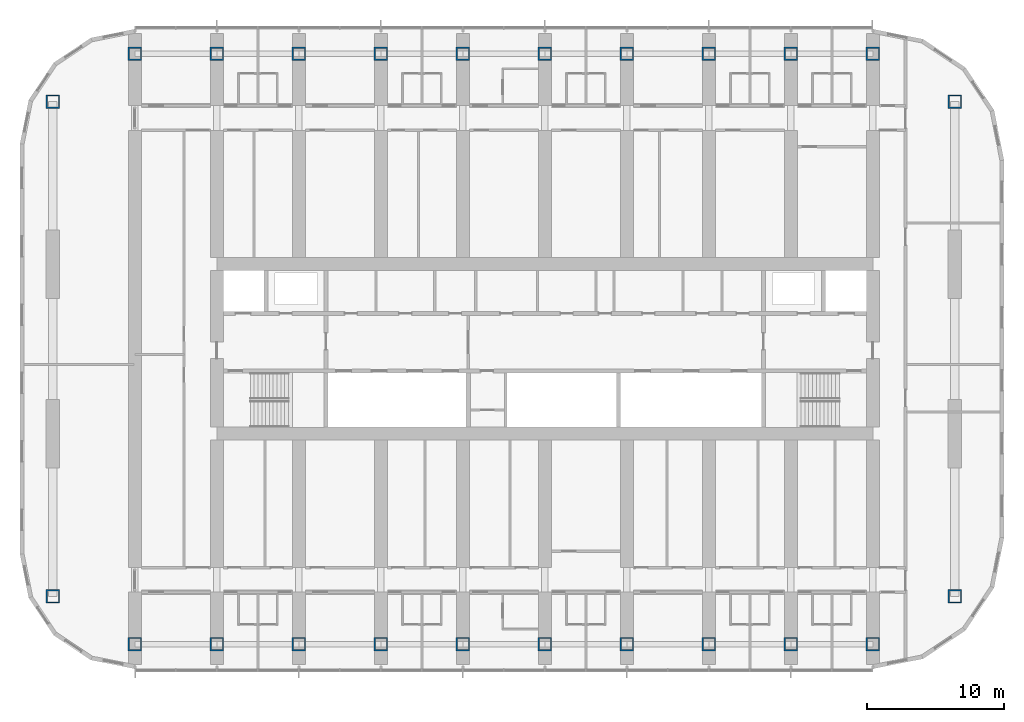
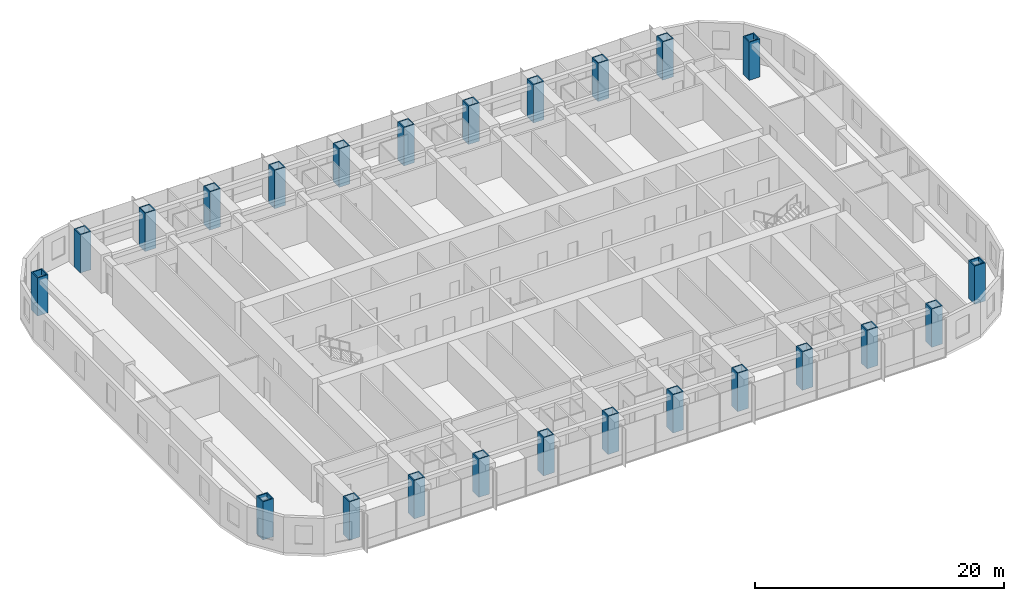
# One storey, part 1 of 21: 24 columns.
"""IFC4 building model written with IfcOpenShell, lengths in metres."""

from ifc_helpers import new_model, si_unit, direction, frame, origin, origin_2d, place, context, subcontext, project, spatial, hollow_rectangle, extrude, material, material_profile, profile_set, type_object, element, save


model = new_model("IFC4")

# Units and contexts
model_context = context("Model", 3, precision=1e-05, world=origin(), true_north=direction((0.0, 1.0)))
body_context = subcontext(model_context, "Body", "Model", "MODEL_VIEW")
ifc_project = project(units=[si_unit("LENGTHUNIT", "METRE"), si_unit("AREAUNIT", "SQUARE_METRE"), si_unit("VOLUMEUNIT", "CUBIC_METRE"), si_unit("PLANEANGLEUNIT", "RADIAN"), si_unit("MASSUNIT", "GRAM", prefix="KILO")], contexts=[model_context])

# Site, building, storey
site_placement = place(None, origin())
site = spatial("IfcSite", under=ifc_project, at=site_placement, CompositionType="ELEMENT")
building_placement = place(site_placement, origin())
building = spatial("IfcBuilding", under=site, at=building_placement, Name="Orbita Commons", CompositionType="ELEMENT")
storey_placement = place(building_placement, frame((0.0, 0.0, 91.89990234375)))
storey = spatial("IfcBuildingStorey", under=building, at=storey_placement, Name="L22", CompositionType="ELEMENT", Elevation=91.89990234375)

# Columns
ifc_material = material(Name="Steel ASTM A572 Gr 50 welded plate", Category="steel")
ifc_material_profile = material_profile(ifc_material, hollow_rectangle(XDim=1.0, YDim=1.0, WallThickness=0.10009765625, at=origin_2d()), Name="BOX 1000x1000x100")
ifc_profile_set = profile_set([ifc_material_profile], Name="Steel ASTM A572 Gr 50 welded plate")
column_type = type_object("IfcColumnType", Name="Steel column BOX 1000x1000x100", PredefinedType="COLUMN", material=ifc_profile_set)
for number, where, z_axis, x_axis, name in (
    (1, (12.0, 10.39990234375, 0.0), (0.0, 0.0, 1.0), (1.0, 0.0, 0.0), "Column 3/B L22"),
    (2, (12.0, 53.60009765625, 0.0), (0.0, 0.0, 1.0), (1.0, 0.0, 0.0), "Column 3/E L22"),
    (3, (18.0, 10.39990234375, 0.0), (0.0, 0.0, 1.0), (1.0, 0.0, 0.0), "Column 4/B L22"),
    (4, (18.0, 53.60009765625, 0.0), (0.0, 0.0, 1.0), (1.0, 0.0, 0.0), "Column 4/E L22"),
    (5, (24.0, 10.39990234375, 0.0), (0.0, 0.0, 1.0), (1.0, 0.0, 0.0), "Column 5/B L22"),
    (6, (24.0, 53.60009765625, 0.0), (0.0, 0.0, 1.0), (1.0, 0.0, 0.0), "Column 5/E L22"),
    (7, (30.0, 10.39990234375, 0.0), (0.0, 0.0, 1.0), (1.0, 0.0, 0.0), "Column 6/B L22"),
    (8, (30.0, 53.60009765625, 0.0), (0.0, 0.0, 1.0), (1.0, 0.0, 0.0), "Column 6/E L22"),
    (9, (36.0, 10.39990234375, 0.0), (0.0, 0.0, 1.0), (1.0, 0.0, 0.0), "Column 7/B L22"),
    (10, (36.0, 53.60009765625, 0.0), (0.0, 0.0, 1.0), (1.0, 0.0, 0.0), "Column 7/E L22"),
    (11, (42.0, 10.39990234375, 0.0), (0.0, 0.0, 1.0), (1.0, 0.0, 0.0), "Column 8/B L22"),
    (12, (42.0, 53.60009765625, 0.0), (0.0, 0.0, 1.0), (1.0, 0.0, 0.0), "Column 8/E L22"),
    (13, (48.0, 10.39990234375, 0.0), (0.0, 0.0, 1.0), (1.0, 0.0, 0.0), "Column 9/B L22"),
    (14, (48.0, 53.60009765625, 0.0), (0.0, 0.0, 1.0), (1.0, 0.0, 0.0), "Column 9/E L22"),
    (15, (54.0, 10.39990234375, 0.0), (0.0, 0.0, 1.0), (1.0, 0.0, 0.0), "Column 10/B L22"),
    (16, (54.0, 53.60009765625, 0.0), (0.0, 0.0, 1.0), (1.0, 0.0, 0.0), "Column 10/E L22"),
    (17, (60.0, 10.39990234375, 0.0), (0.0, 0.0, 1.0), (1.0, 0.0, 0.0), "Column 11/B L22"),
    (18, (60.0, 53.60009765625, 0.0), (0.0, 0.0, 1.0), (1.0, 0.0, 0.0), "Column 11/E L22"),
    (19, (66.0, 10.39990234375, 0.0), (0.0, 0.0, 1.0), (1.0, 0.0, 0.0), "Column 12/B L22"),
    (20, (66.0, 53.60009765625, 0.0), (0.0, 0.0, 1.0), (1.0, 0.0, 0.0), "Column 12/E L22"),
    (21, (6.0, 13.89990234375, 0.0), (0.0, 0.0, 1.0), (1.0, 0.0, 0.0), "Column 2/13.9 L22"),
    (22, (6.0, 50.10009765625, 0.0), (0.0, 0.0, 1.0), (1.0, 0.0, 0.0), "Column 2/50.1 L22"),
    (23, (72.0, 13.89990234375, 0.0), (0.0, 0.0, 1.0), (1.0, 0.0, 0.0), "Column 13/13.9 L22"),
    (24, (72.0, 50.10009765625, 0.0), (0.0, 0.0, 1.0), (1.0, 0.0, 0.0), "Column 13/50.1 L22"),
):
    element("IfcColumn", number, at=place(storey_placement, frame(where, z_axis=z_axis, x_axis=x_axis)), inside=storey, type_object=column_type, Name=name, PredefinedType="COLUMN", context=body_context, shape_type="SweptSolid", body=[
        extrude(hollow_rectangle(XDim=1.0, YDim=1.0, WallThickness=0.10009765625, at=origin_2d()), origin(), (0.0, 0.0, 1.0), 3.75),
    ])

save(model, "model.ifc")
